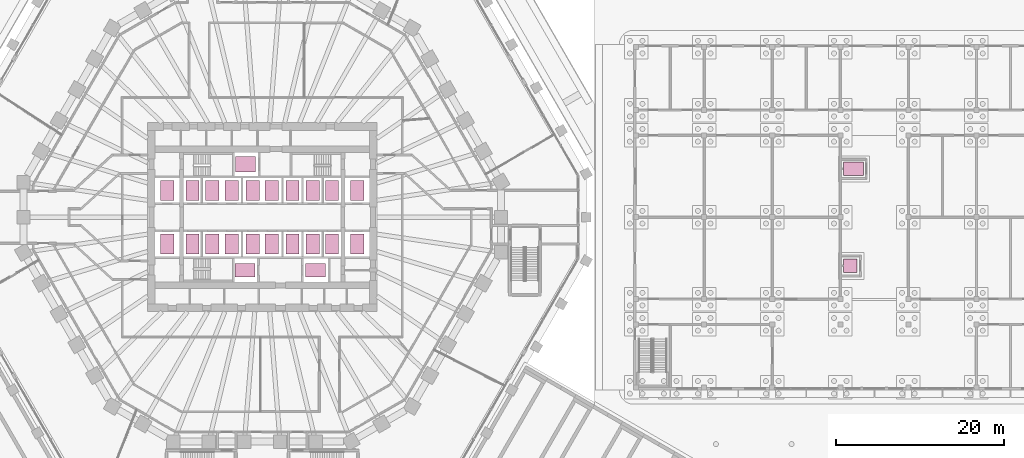
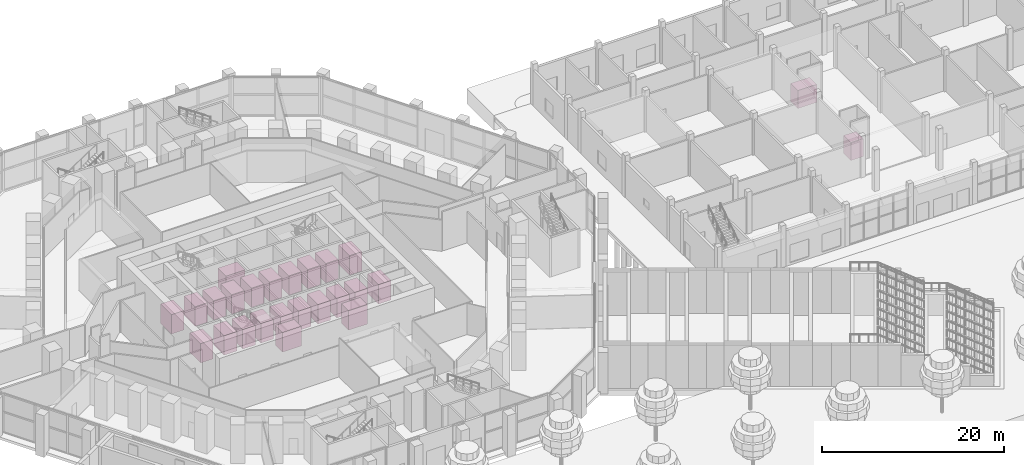
# One storey, part 41 of 44: 25 transport elements.
"""IFC4 building model written with IfcOpenShell, lengths in metres."""

from ifc_helpers import new_model, si_unit, direction, frame, origin, origin_2d, place, context, subcontext, project, spatial, rectangle, extrude, material, type_object, element, save


model = new_model("IFC4")

# Units and contexts
model_context = context("Model", 3, precision=1e-05, world=origin(), true_north=direction((0.0, 1.0)))
body_context = subcontext(model_context, "Body", "Model", "MODEL_VIEW")
ifc_project = project(units=[si_unit("LENGTHUNIT", "METRE"), si_unit("AREAUNIT", "SQUARE_METRE"), si_unit("VOLUMEUNIT", "CUBIC_METRE"), si_unit("PLANEANGLEUNIT", "RADIAN"), si_unit("MASSUNIT", "GRAM", prefix="KILO")], contexts=[model_context])

# Site, building, storey
site_placement = place(None, origin())
site = spatial("IfcSite", under=ifc_project, at=site_placement, CompositionType="ELEMENT")
building_placement = place(site_placement, origin())
building = spatial("IfcBuilding", under=site, at=building_placement, Name="Frailejon Research Tower", CompositionType="ELEMENT")
storey_placement = place(building_placement, origin())
storey = spatial("IfcBuildingStorey", under=building, at=storey_placement, Name="L00", CompositionType="ELEMENT", Elevation=0.0)

# Transport elements
ifc_material_1 = material(Name="Firefighting lift car")
transport_element_type_1 = type_object("IfcTransportElementType", Name="Firefighting lift car", PredefinedType="ELEVATOR", material=ifc_material_1)
for number, where, z_axis, x_axis, name in (
    (1, (-2.050048828125, -6.300048828125, 0.0), (0.0, 0.0, 1.0), (1.0, 0.0, 0.0), "Firefighting lift 1"),
    (2, (6.35009765625, -6.300048828125, 0.0), (0.0, 0.0, 1.0), (1.0, 0.0, 0.0), "Firefighting lift 2"),
):
    element("IfcTransportElement", number, at=place(storey_placement, frame(where, z_axis=z_axis, x_axis=x_axis)), inside=storey, type_object=transport_element_type_1, Name=name, PredefinedType="ELEVATOR", context=body_context, shape_type="SweptSolid", body=[
        extrude(rectangle(XDim=2.39990234375, YDim=1.60009765625, at=origin_2d()), origin(), (0.0, 0.0, 1.0), 2.60009765625),
    ])
ifc_material_2 = material(Name="Goods lift car")
transport_element_type_2 = type_object("IfcTransportElementType", Name="Goods lift car", PredefinedType="ELEVATOR", material=ifc_material_2)
transport_element_1_placement = place(storey_placement, frame((-2.0, 6.300048828125, 0.0), z_axis=(0.0, 0.0, 1.0), x_axis=(1.0, 0.0, 0.0)))
element("IfcTransportElement", 3, at=transport_element_1_placement, inside=storey, type_object=transport_element_type_2, Name="Goods lift 1", PredefinedType="ELEVATOR", context=body_context, shape_type="SweptSolid", body=[
    extrude(rectangle(XDim=2.39990234375, YDim=1.800048828125, at=origin_2d()), origin(), (0.0, 0.0, 1.0), 2.60009765625),
])
ifc_material_3 = material(Name="Stainless steel car", Category="steel")
transport_element_type_3 = type_object("IfcTransportElementType", Name="HC bed lift 1600 kg", PredefinedType="ELEVATOR", material=ifc_material_3)
transport_element_2_placement = place(storey_placement, frame((70.35009765625, 5.75, 0.050048828125), z_axis=(0.0, 0.0, 1.0), x_axis=(1.0, 0.0, 0.0)))
element("IfcTransportElement", 4, at=transport_element_2_placement, inside=storey, type_object=transport_element_type_3, Name="HC lift B car", PredefinedType="ELEVATOR", context=body_context, shape_type="SweptSolid", body=[
    extrude(rectangle(XDim=2.39990234375, YDim=1.60009765625, at=origin_2d()), origin(), (0.0, 0.0, 1.0), 2.39990234375),
])
ifc_material_4 = material(Name="Stainless steel car", Category="steel")
transport_element_type_4 = type_object("IfcTransportElementType", Name="HC passenger lift 1000 kg", PredefinedType="ELEVATOR", material=ifc_material_4)
transport_element_3_placement = place(storey_placement, frame((70.0, -5.800048828125, 0.050048828125), z_axis=(0.0, 0.0, 1.0), x_axis=(1.0, 0.0, 0.0)))
element("IfcTransportElement", 5, at=transport_element_3_placement, inside=storey, type_object=transport_element_type_4, Name="HC lift P car", PredefinedType="ELEVATOR", context=body_context, shape_type="SweptSolid", body=[
    extrude(rectangle(XDim=1.60009765625, YDim=1.60009765625, at=origin_2d()), origin(), (0.0, 0.0, 1.0), 2.39990234375),
])
ifc_material_5 = material(Name="Passenger lift car")
transport_element_type_5 = type_object("IfcTransportElementType", Name="Passenger lift car", PredefinedType="ELEVATOR", material=ifc_material_5)
for number, where, z_axis, x_axis, name in (
    (6, (-11.300048828125, 3.199951171875, 0.0), (0.0, 0.0, 1.0), (1.0, 0.0, 0.0), "Passenger lift 1"),
    (7, (-8.300048828125, 3.199951171875, 0.0), (0.0, 0.0, 1.0), (1.0, 0.0, 0.0), "Passenger lift 2"),
    (8, (8.300048828125, 3.199951171875, 0.0), (0.0, 0.0, 1.0), (1.0, 0.0, 0.0), "Passenger lift 3"),
    (9, (11.300048828125, 3.199951171875, 0.0), (0.0, 0.0, 1.0), (1.0, 0.0, 0.0), "Passenger lift 4"),
    (10, (-11.300048828125, -3.199951171875, 0.0), (0.0, 0.0, 1.0), (1.0, 0.0, 0.0), "Passenger lift 5"),
    (11, (-8.300048828125, -3.199951171875, 0.0), (0.0, 0.0, 1.0), (1.0, 0.0, 0.0), "Passenger lift 6"),
    (12, (8.300048828125, -3.199951171875, 0.0), (0.0, 0.0, 1.0), (1.0, 0.0, 0.0), "Passenger lift 7"),
    (13, (11.300048828125, -3.199951171875, 0.0), (0.0, 0.0, 1.0), (1.0, 0.0, 0.0), "Passenger lift 8"),
    (14, (-5.949951171875, 3.199951171875, 0.0), (0.0, 0.0, 1.0), (1.0, 0.0, 0.0), "Passenger lift 9"),
    (15, (-3.64990234375, 3.199951171875, 0.0), (0.0, 0.0, 1.0), (1.0, 0.0, 0.0), "Passenger lift 10"),
    (16, (6.0, 3.199951171875, 0.0), (0.0, 0.0, 1.0), (1.0, 0.0, 0.0), "Passenger lift 11"),
    (17, (-5.949951171875, -3.199951171875, 0.0), (0.0, 0.0, 1.0), (1.0, 0.0, 0.0), "Passenger lift 12"),
    (18, (-3.64990234375, -3.199951171875, 0.0), (0.0, 0.0, 1.0), (1.0, 0.0, 0.0), "Passenger lift 13"),
    (19, (6.0, -3.199951171875, 0.0), (0.0, 0.0, 1.0), (1.0, 0.0, 0.0), "Passenger lift 14"),
    (20, (-1.14990234375, 3.199951171875, 0.0), (0.0, 0.0, 1.0), (1.0, 0.0, 0.0), "Passenger lift 15"),
    (21, (1.14990234375, 3.199951171875, 0.0), (0.0, 0.0, 1.0), (1.0, 0.0, 0.0), "Passenger lift 16"),
    (22, (3.60009765625, 3.199951171875, 0.0), (0.0, 0.0, 1.0), (1.0, 0.0, 0.0), "Passenger lift 17"),
    (23, (-1.14990234375, -3.199951171875, 0.0), (0.0, 0.0, 1.0), (1.0, 0.0, 0.0), "Passenger lift 18"),
    (24, (1.14990234375, -3.199951171875, 0.0), (0.0, 0.0, 1.0), (1.0, 0.0, 0.0), "Passenger lift 19"),
    (25, (3.60009765625, -3.199951171875, 0.0), (0.0, 0.0, 1.0), (1.0, 0.0, 0.0), "Passenger lift 20"),
):
    element("IfcTransportElement", number, at=place(storey_placement, frame(where, z_axis=z_axis, x_axis=x_axis)), inside=storey, type_object=transport_element_type_5, Name=name, PredefinedType="ELEVATOR", context=body_context, shape_type="SweptSolid", body=[
        extrude(rectangle(XDim=1.60009765625, YDim=2.39990234375, at=origin_2d()), origin(), (0.0, 0.0, 1.0), 2.60009765625),
    ])

save(model, "model.ifc")
